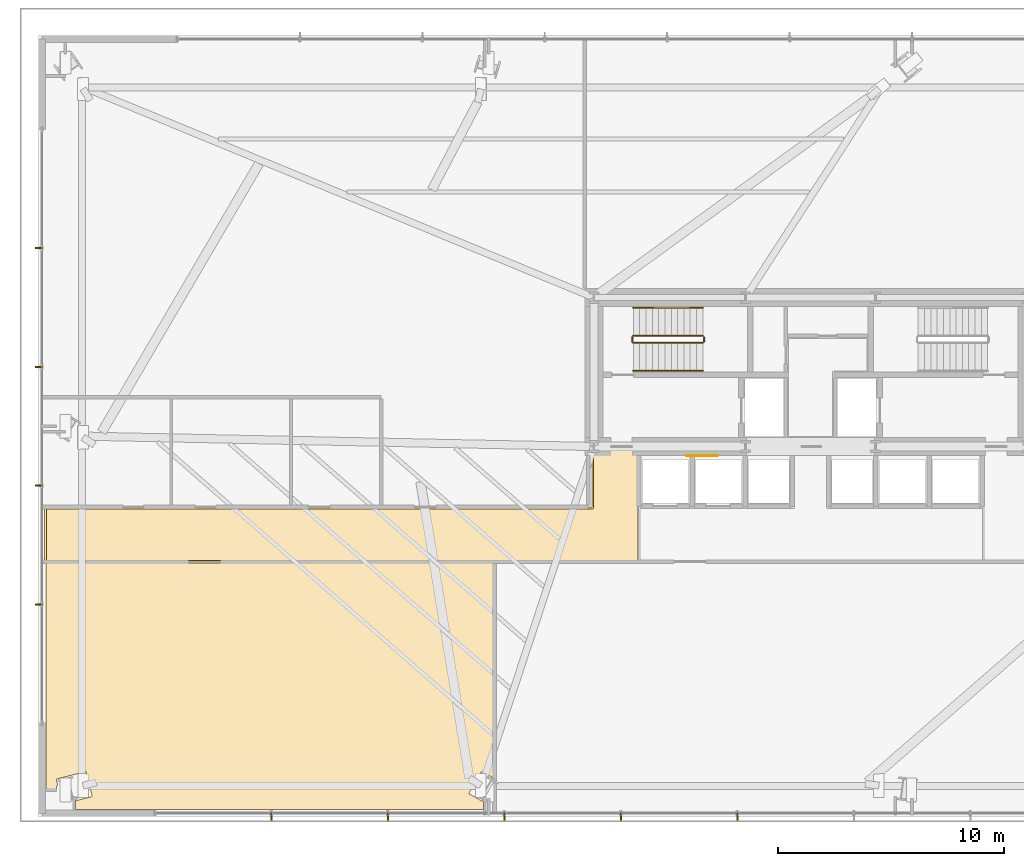
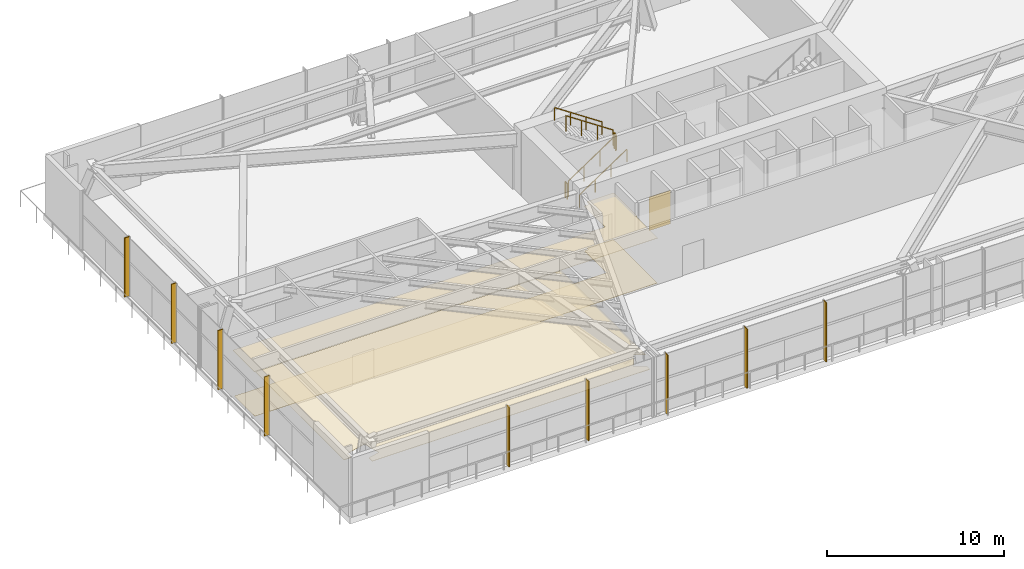
# One storey, part 29 of 36: 9 shading devices, 6 railings, 4 coverings.
"""IFC4 building model written with IfcOpenShell, lengths in metres."""

from ifc_helpers import new_model, si_unit, direction, frame, origin, origin_2d, place, context, subcontext, project, spatial, polyline, rectangle, outline, extrude, source, transform, mapped, material, layer, layer_set, type_object, type_shapes, element, save


model = new_model("IFC4")

# Units and contexts
model_context = context("Model", 3, precision=1e-05, world=origin(), true_north=direction((0.0, 1.0)))
body_context = subcontext(model_context, "Body", "Model", "MODEL_VIEW")
ifc_project = project(units=[si_unit("LENGTHUNIT", "METRE"), si_unit("AREAUNIT", "SQUARE_METRE"), si_unit("VOLUMEUNIT", "CUBIC_METRE"), si_unit("PLANEANGLEUNIT", "RADIAN"), si_unit("MASSUNIT", "GRAM", prefix="KILO")], contexts=[model_context])

# Site, building, storey
site_placement = place(None, origin())
site = spatial("IfcSite", under=ifc_project, at=site_placement, CompositionType="ELEMENT")
building_placement = place(site_placement, origin())
building = spatial("IfcBuilding", under=site, at=building_placement, Name="Astriad Promenade Condominiums", CompositionType="ELEMENT")
storey_placement = place(building_placement, frame((0.0, 0.0, 5.0)))
storey = spatial("IfcBuildingStorey", under=building, at=storey_placement, Name="L01", CompositionType="ELEMENT", Elevation=5.0)

# Coverings
ifc_material_1 = material(Name="Mineral-Fibre Acoustic Ceiling Tile")
ifc_layer_1 = layer(ifc_material_1, 0.02490234375)
ifc_layer_set_1 = layer_set([ifc_layer_1], Name="Mineral-Fibre Acoustic Ceiling Tile")
covering_type_1 = type_object("IfcCoveringType", Name="COV-CEIL-ACOUSTIC-25", PredefinedType="CEILING", material=ifc_layer_set_1)
covering_1_placement = place(storey_placement, frame((0.0, 0.0, 3.135009765625)))
element("IfcCovering", 1, at=covering_1_placement, inside=storey, type_object=covering_type_1, Name="CEIL-L01-COR-2", PredefinedType="CEILING", context=body_context, shape_type="SweptSolid", body=[
    extrude(outline(polyline([(2.093994140625, 12.2705078125), (2.09130859375, 12.271240234375), (2.08837890625, 12.272216796875), (2.0859375, 12.2734375), (2.083251953125, 12.275146484375), (2.0810546875, 12.27685546875), (2.078857421875, 12.27880859375), (2.076904296875, 12.281005859375), (2.0751953125, 12.283203125), (2.073486328125, 12.285888671875), (2.072265625, 12.28857421875), (2.0712890625, 12.291259765625), (2.070556640625, 12.294189453125), (2.070068359375, 12.297119140625), (2.070068359375, 12.300048828125), (2.070068359375, 14.679931640625), (2.070068359375, 14.682861328125), (2.070556640625, 14.685791015625), (2.0712890625, 14.688720703125), (2.072265625, 14.69140625), (2.073486328125, 14.694091796875), (2.0751953125, 14.69677734375), (2.076904296875, 14.698974609375), (2.078857421875, 14.701171875), (2.0810546875, 14.703125), (2.083251953125, 14.704833984375), (2.0859375, 14.70654296875), (2.08837890625, 14.707763671875), (2.09130859375, 14.708740234375), (2.093994140625, 14.70947265625), (2.09716796875, 14.7099609375), (2.10009765625, 14.7099609375), (26.320068359375, 14.7099609375), (26.320068359375, 17.077880859375), (26.683349609375, 17.077880859375), (26.683349609375, 17.3798828125), (28.39990234375, 17.3798828125), (28.40283203125, 17.3798828125), (28.406005859375, 17.37939453125), (28.40869140625, 17.378662109375), (28.41162109375, 17.377685546875), (28.4140625, 17.37646484375), (28.416748046875, 17.375), (28.4189453125, 17.373291015625), (28.421142578125, 17.37109375), (28.423095703125, 17.368896484375), (28.4248046875, 17.36669921875), (28.426513671875, 17.364013671875), (28.427734375, 17.361572265625), (28.4287109375, 17.358642578125), (28.429443359375, 17.35595703125), (28.429931640625, 17.352783203125), (28.429931640625, 17.35009765625), (28.429931640625, 14.75), (28.39990234375, 14.75), (28.39892578125, 14.75), (28.39599609375, 14.749755859375), (28.39404296875, 14.74951171875), (28.39111328125, 14.749267578125), (28.389404296875, 14.748779296875), (28.386474609375, 14.748046875), (28.384521484375, 14.74755859375), (28.3818359375, 14.74658203125), (28.3798828125, 14.745849609375), (28.377197265625, 14.744384765625), (28.37548828125, 14.74365234375), (28.373046875, 14.7421875), (28.371337890625, 14.740966796875), (28.369140625, 14.7392578125), (28.367431640625, 14.738037109375), (28.365478515625, 14.736083984375), (28.364013671875, 14.734619140625), (28.362060546875, 14.732421875), (28.360595703125, 14.73095703125), (28.35888671875, 14.728515625), (28.35791015625, 14.726806640625), (28.3564453125, 14.724365234375), (28.35546875, 14.72265625), (28.354248046875, 14.719970703125), (28.353515625, 14.71826171875), (28.3525390625, 14.71533203125), (28.351806640625, 14.713623046875), (28.351318359375, 14.710693359375), (28.350830078125, 14.708740234375), (28.350341796875, 14.705810546875), (28.35009765625, 14.703857421875), (28.35009765625, 14.700927734375), (28.35009765625, 14.699951171875), (28.35009765625, 12.300048828125), (28.35009765625, 12.299072265625), (28.35009765625, 12.296142578125), (28.350341796875, 12.294189453125), (28.350830078125, 12.291259765625), (28.351318359375, 12.289306640625), (28.351806640625, 12.286376953125), (28.3525390625, 12.28466796875), (28.353515625, 12.28173828125), (28.354248046875, 12.280029296875), (28.35546875, 12.27734375), (28.3564453125, 12.275634765625), (28.35791015625, 12.273193359375), (28.35888671875, 12.271484375), (28.360107421875, 12.27001953125), (2.10009765625, 12.27001953125), (2.09716796875, 12.27001953125), (2.093994140625, 12.2705078125)])), origin(), (0.0, 0.0, 1.0), 0.02490234375),
])
covering_2_placement = place(storey_placement, frame((0.0, 0.0, 3.135009765625)))
element("IfcCovering", 2, at=covering_2_placement, inside=storey, type_object=covering_type_1, Name="CEIL-L01-RM1", PredefinedType="CEILING", context=body_context, shape_type="SweptSolid", body=[
    extrude(outline(polyline([(2.12060546875, 12.205810546875), (2.121337890625, 12.208740234375), (2.122314453125, 12.21142578125), (2.12353515625, 12.214111328125), (2.125, 12.216796875), (2.126708984375, 12.218994140625), (2.12890625, 12.22119140625), (2.131103515625, 12.22314453125), (2.13330078125, 12.224853515625), (2.135986328125, 12.2265625), (2.138427734375, 12.227783203125), (2.141357421875, 12.228759765625), (2.14404296875, 12.2294921875), (2.147216796875, 12.22998046875), (2.14990234375, 12.22998046875), (22.0, 12.22998046875), (22.0029296875, 12.22998046875), (22.005859375, 12.2294921875), (22.0087890625, 12.228759765625), (22.011474609375, 12.227783203125), (22.01416015625, 12.2265625), (22.0166015625, 12.224853515625), (22.01904296875, 12.22314453125), (22.021240234375, 12.22119140625), (22.023193359375, 12.218994140625), (22.02490234375, 12.216796875), (22.026611328125, 12.214111328125), (22.027587890625, 12.21142578125), (22.02880859375, 12.208740234375), (22.029296875, 12.205810546875), (22.02978515625, 12.202880859375), (22.030029296875, 12.199951171875), (22.030029296875, 2.67138671875), (21.831298828125, 2.784912109375), (21.430908203125, 3.013916015625), (20.8642578125, 2.023193359375), (21.298583984375, 1.77490234375), (21.514892578125, 1.6513671875), (21.514892578125, 1.35009765625), (21.514892578125, 1.34716796875), (21.514404296875, 1.343994140625), (21.513671875, 1.34130859375), (21.5126953125, 1.33837890625), (21.511474609375, 1.3359375), (21.510009765625, 1.333251953125), (21.50830078125, 1.3310546875), (21.506103515625, 1.328857421875), (21.50390625, 1.326904296875), (21.501708984375, 1.3251953125), (21.4990234375, 1.323486328125), (21.49658203125, 1.322265625), (21.49365234375, 1.3212890625), (21.490966796875, 1.320556640625), (21.48779296875, 1.320068359375), (21.485107421875, 1.320068359375), (3.4599609375, 1.320068359375), (3.45703125, 1.320068359375), (3.4541015625, 1.320556640625), (3.451416015625, 1.3212890625), (3.448486328125, 1.322265625), (3.44580078125, 1.323486328125), (3.443359375, 1.3251953125), (3.44091796875, 1.326904296875), (3.438720703125, 1.328857421875), (3.436767578125, 1.3310546875), (3.43505859375, 1.333251953125), (3.43359375, 1.3359375), (3.432373046875, 1.33837890625), (3.431396484375, 1.34130859375), (3.4306640625, 1.343994140625), (3.43017578125, 1.34716796875), (3.429931640625, 1.35009765625), (3.429931640625, 1.704345703125), (4.1787109375, 1.8916015625), (3.90185546875, 2.99853515625), (3.060302734375, 2.788330078125), (2.581298828125, 2.66845703125), (2.647216796875, 2.40478515625), (2.601806640625, 2.336669921875), (2.585205078125, 2.254150390625), (2.584716796875, 2.251220703125), (2.58349609375, 2.24853515625), (2.58251953125, 2.245849609375), (2.580810546875, 2.243408203125), (2.5791015625, 2.240966796875), (2.5771484375, 2.23876953125), (2.574951171875, 2.23681640625), (2.572509765625, 2.235107421875), (2.570068359375, 2.2333984375), (2.5673828125, 2.232421875), (2.564697265625, 2.231201171875), (2.561767578125, 2.230712890625), (2.558837890625, 2.22998046875), (2.555908203125, 2.22998046875), (2.14990234375, 2.22998046875), (2.147216796875, 2.22998046875), (2.14404296875, 2.230712890625), (2.141357421875, 2.231201171875), (2.138427734375, 2.232421875), (2.135986328125, 2.2333984375), (2.13330078125, 2.235107421875), (2.131103515625, 2.23681640625), (2.12890625, 2.23876953125), (2.126708984375, 2.240966796875), (2.125, 2.243408203125), (2.12353515625, 2.245849609375), (2.122314453125, 2.24853515625), (2.121337890625, 2.251220703125), (2.12060546875, 2.254150390625), (2.1201171875, 2.257080078125), (2.1201171875, 2.260009765625), (2.1201171875, 12.199951171875), (2.1201171875, 12.202880859375), (2.12060546875, 12.205810546875)])), origin(), (0.0, 0.0, 1.0), 0.02490234375),
])
ifc_material_2 = material(Name="Polished Lakefront Terrazzo Flooring")
ifc_layer_2 = layer(ifc_material_2, 0.02001953125)
ifc_layer_set_2 = layer_set([ifc_layer_2], Name="Polished Lakefront Terrazzo Flooring")
covering_type_2 = type_object("IfcCoveringType", Name="COV-FLOR-TERRAZZO-20", PredefinedType="FLOORING", material=ifc_layer_set_2)
covering_3_placement = place(storey_placement, origin())
element("IfcCovering", 3, at=covering_3_placement, inside=storey, type_object=covering_type_2, Name="FLR-L01-COR-2", PredefinedType="FLOORING", context=body_context, shape_type="SweptSolid", body=[
    extrude(outline(polyline([(2.139892578125, 12.340087890625), (2.139892578125, 14.639892578125), (26.35009765625, 14.639892578125), (26.35400390625, 14.64013671875), (26.35791015625, 14.640869140625), (26.361572265625, 14.6416015625), (26.365234375, 14.64306640625), (26.368896484375, 14.644775390625), (26.372314453125, 14.646728515625), (26.37548828125, 14.649169921875), (26.37841796875, 14.651611328125), (26.380859375, 14.654541015625), (26.38330078125, 14.65771484375), (26.38525390625, 14.6611328125), (26.386962890625, 14.664794921875), (26.38818359375, 14.66845703125), (26.38916015625, 14.672119140625), (26.389892578125, 14.676025390625), (26.389892578125, 14.679931640625), (26.389892578125, 17.117919921875), (26.643310546875, 17.117919921875), (26.643310546875, 17.31005859375), (28.360107421875, 17.31005859375), (28.360107421875, 12.340087890625), (2.139892578125, 12.340087890625)])), origin(), (0.0, 0.0, 1.0), 0.02001953125),
])

# Shading devices
ifc_material_3 = material(Name="Anodised aluminium 6063-T6 Black Fin", Category="aluminium")
shading_device_type = type_object("IfcShadingDeviceType", Name="FIN-BLACK-320", PredefinedType="USERDEFINED", material=ifc_material_3)
shared_shape_1 = source(origin(), body_context, "Body", "SweptSolid", [
    extrude(rectangle(XDim=0.06494140625, YDim=0.320068359375, at=origin_2d()), origin(), (0.0, 0.0, 1.0), 4.080078125),
])
type_shapes(shading_device_type, [shared_shape_1])
for number, where, z_axis, x_axis, name in (
    (4, (1.81005859375, 10.409912109375, 0.0), (0.0, 0.0, 1.0), (0.0, 1.0, 0.0), "CW-L01-W-FIN-01"),
    (5, (1.81005859375, 15.669921875, 0.0), (0.0, 0.0, 1.0), (0.0, 1.0, 0.0), "CW-L01-W-FIN-02"),
    (6, (1.81005859375, 20.929931640625, 0.0), (0.0, 0.0, 1.0), (0.0, 1.0, 0.0), "CW-L01-W-FIN-03"),
    (7, (1.81005859375, 26.18994140625, 0.0), (0.0, 0.0, 1.0), (0.0, 1.0, 0.0), "CW-L01-W-FIN-04"),
    (8, (32.7578125, 1.010009765625, 0.0), (0.0, 0.0, 1.0), (-1.0, 0.0, 0.0), "CW-L01-S-FIN-08"),
    (9, (27.59619140625, 1.010009765625, 0.0), (0.0, 0.0, 1.0), (-1.0, 0.0, 0.0), "CW-L01-S-FIN-09"),
    (10, (22.4345703125, 1.010009765625, 0.0), (0.0, 0.0, 1.0), (-1.0, 0.0, 0.0), "CW-L01-S-FIN-10"),
    (11, (17.273193359375, 1.010009765625, 0.0), (0.0, 0.0, 1.0), (-1.0, 0.0, 0.0), "CW-L01-S-FIN-11"),
    (12, (12.111572265625, 1.010009765625, 0.0), (0.0, 0.0, 1.0), (-1.0, 0.0, 0.0), "CW-L01-S-FIN-12"),
):
    element("IfcShadingDevice", number, at=place(storey_placement, frame(where, z_axis=z_axis, x_axis=x_axis)), inside=storey, type_object=shading_device_type, Name=name, ObjectType="FIN", PredefinedType="USERDEFINED", context=body_context, shape_type="MappedRepresentation", body=[
        mapped(shared_shape_1, transform((0.0, 0.0, 0.0), scale=1.0)),
    ])

# Railings
ifc_material_4 = material(Name="Painted Galvanised Steel Guardrail", Category="steel")
railing_type_1 = type_object("IfcRailingType", Name="GRD-STAIR-1100", PredefinedType="GUARDRAIL", material=ifc_material_4)
shared_shape_2 = source(origin(), body_context, "Body", "SweptSolid", [
    extrude(rectangle(XDim=0.048095703125, YDim=0.048095703125, at=origin_2d()), frame((0.0, 0.0, 1.076171875), z_axis=(0.0, 1.0, 0.0), x_axis=(-1.0, 0.0, 0.0)), (0.0, 0.0, 1.0), 0.199951171875),
    extrude(rectangle(XDim=0.0419921875, YDim=0.0419921875, at=origin_2d()), origin(), (0.0, 0.0, 1.0), 1.052001953125),
    extrude(rectangle(XDim=0.0419921875, YDim=0.0419921875, at=origin_2d()), frame((0.0, 0.199951171875, 0.0)), (0.0, 0.0, 1.0), 1.052001953125),
])
for number, where, name in (
    (13, (31.280029296875, 22.050048828125, 2.25), "L01 ST-1 stair guard 2"),
    (14, (28.10009765625, 22.050048828125, 0.0), "L01 ST-1 stair guard 4"),
):
    element("IfcRailing", number, at=place(storey_placement, frame(where)), inside=storey, type_object=railing_type_1, Name=name, PredefinedType="GUARDRAIL", context=body_context, shape_type="MappedRepresentation", body=[
        mapped(shared_shape_2, transform((0.0, 0.0, 0.0), scale=1.0)),
    ])
shared_shape_3 = source(origin(), body_context, "Body", "SweptSolid", [
    extrude(rectangle(XDim=0.048095703125, YDim=0.048095703125, at=origin_2d()), frame((0.0, 0.0, 1.076171875), z_axis=(0.830913701846, 0.0, 0.55640131208), x_axis=(0.0, 1.0, 0.0)), (0.0, 0.0, 1.0), 3.706787109375),
    extrude(rectangle(XDim=0.0419921875, YDim=0.0419921875, at=origin_2d()), origin(), (0.0, 0.0, 1.0), 1.052001953125),
    extrude(rectangle(XDim=0.0419921875, YDim=0.0419921875, at=origin_2d()), frame((1.026611328125, 0.0, 0.6875)), (0.0, 0.0, 1.0), 1.052001953125),
    extrude(rectangle(XDim=0.0419921875, YDim=0.0419921875, at=origin_2d()), frame((2.053466796875, 0.0, 1.375)), (0.0, 0.0, 1.0), 1.052001953125),
    extrude(rectangle(XDim=0.0419921875, YDim=0.0419921875, at=origin_2d()), frame((3.080078125, 0.0, 2.0625)), (0.0, 0.0, 1.0), 1.052001953125),
])
railing_1_placement = place(storey_placement, frame((28.14990234375, 22.0, 0.1875)))
element("IfcRailing", 15, at=railing_1_placement, inside=storey, type_object=railing_type_1, Name="L01 ST-1 stair guard 1", PredefinedType="GUARDRAIL", context=body_context, shape_type="MappedRepresentation", body=[
    mapped(shared_shape_3, transform((0.0, 0.0, 0.0), scale=1.0)),
])
shared_shape_4 = source(origin(), body_context, "Body", "SweptSolid", [
    extrude(rectangle(XDim=0.048095703125, YDim=0.048095703125, at=origin_2d()), frame((0.0, 0.0, 1.076171875), z_axis=(-0.830913701846, 0.0, 0.55640131208), x_axis=(0.0, -1.0, 0.0)), (0.0, 0.0, 1.0), 3.706787109375),
    extrude(rectangle(XDim=0.0419921875, YDim=0.0419921875, at=origin_2d()), origin(), (0.0, 0.0, 1.0), 1.052001953125),
    extrude(rectangle(XDim=0.0419921875, YDim=0.0419921875, at=origin_2d()), frame((-1.026611328125, 0.0, 0.6875)), (0.0, 0.0, 1.0), 1.052001953125),
    extrude(rectangle(XDim=0.0419921875, YDim=0.0419921875, at=origin_2d()), frame((-2.053466796875, 0.0, 1.375)), (0.0, 0.0, 1.0), 1.052001953125),
    extrude(rectangle(XDim=0.0419921875, YDim=0.0419921875, at=origin_2d()), frame((-3.080078125, 0.0, 2.0625)), (0.0, 0.0, 1.0), 1.052001953125),
])
type_shapes(railing_type_1, [shared_shape_2, shared_shape_3, shared_shape_4])
railing_2_placement = place(storey_placement, frame((31.22998046875, 22.300048828125, 2.4375)))
element("IfcRailing", 16, at=railing_2_placement, inside=storey, type_object=railing_type_1, Name="L01 ST-1 stair guard 3", PredefinedType="GUARDRAIL", context=body_context, shape_type="MappedRepresentation", body=[
    mapped(shared_shape_4, transform((0.0, 0.0, 0.0), scale=1.0)),
])
ifc_material_5 = material(Name="Brushed Stainless Steel Handrail", Category="steel")
railing_type_2 = type_object("IfcRailingType", Name="HRL-STAIR-920", PredefinedType="HANDRAIL", material=ifc_material_5)
shared_shape_5 = source(origin(), body_context, "Body", "SweptSolid", [
    extrude(rectangle(XDim=0.048095703125, YDim=0.048095703125, at=origin_2d()), frame((0.0, 0.0, 0.8759765625), z_axis=(0.830913701846, 0.0, 0.55640131208), x_axis=(0.0, 1.0, 0.0)), (0.0, 0.0, 1.0), 3.706787109375),
    extrude(rectangle(XDim=0.0419921875, YDim=0.0419921875, at=origin_2d()), origin(), (0.0, 0.0, 1.0), 0.851806640625),
    extrude(rectangle(XDim=0.0419921875, YDim=0.0419921875, at=origin_2d()), frame((1.026611328125, 0.0, 0.6875)), (0.0, 0.0, 1.0), 0.851806640625),
    extrude(rectangle(XDim=0.0419921875, YDim=0.0419921875, at=origin_2d()), frame((2.053466796875, 0.0, 1.375)), (0.0, 0.0, 1.0), 0.851806640625),
    extrude(rectangle(XDim=0.0419921875, YDim=0.0419921875, at=origin_2d()), frame((3.080078125, 0.0, 2.0625)), (0.0, 0.0, 1.0), 0.851806640625),
])
railing_3_placement = place(storey_placement, frame((28.14990234375, 20.75, 0.1875)))
element("IfcRailing", 17, at=railing_3_placement, inside=storey, type_object=railing_type_2, Name="L01 ST-1 stair handrail 1", PredefinedType="HANDRAIL", context=body_context, shape_type="MappedRepresentation", body=[
    mapped(shared_shape_5, transform((0.0, 0.0, 0.0), scale=1.0)),
])
shared_shape_6 = source(origin(), body_context, "Body", "SweptSolid", [
    extrude(rectangle(XDim=0.048095703125, YDim=0.048095703125, at=origin_2d()), frame((0.0, 0.0, 0.8759765625), z_axis=(-0.830913701846, 0.0, 0.55640131208), x_axis=(0.0, -1.0, 0.0)), (0.0, 0.0, 1.0), 3.706787109375),
    extrude(rectangle(XDim=0.0419921875, YDim=0.0419921875, at=origin_2d()), origin(), (0.0, 0.0, 1.0), 0.851806640625),
    extrude(rectangle(XDim=0.0419921875, YDim=0.0419921875, at=origin_2d()), frame((-1.026611328125, 0.0, 0.6875)), (0.0, 0.0, 1.0), 0.851806640625),
    extrude(rectangle(XDim=0.0419921875, YDim=0.0419921875, at=origin_2d()), frame((-2.053466796875, 0.0, 1.375)), (0.0, 0.0, 1.0), 0.851806640625),
    extrude(rectangle(XDim=0.0419921875, YDim=0.0419921875, at=origin_2d()), frame((-3.080078125, 0.0, 2.0625)), (0.0, 0.0, 1.0), 0.851806640625),
])
type_shapes(railing_type_2, [shared_shape_5, shared_shape_6])
railing_4_placement = place(storey_placement, frame((31.22998046875, 23.550048828125, 2.4375)))
element("IfcRailing", 18, at=railing_4_placement, inside=storey, type_object=railing_type_2, Name="L01 ST-1 stair handrail 2", PredefinedType="HANDRAIL", context=body_context, shape_type="MappedRepresentation", body=[
    mapped(shared_shape_6, transform((0.0, 0.0, 0.0), scale=1.0)),
])

# Covering
ifc_material_6 = material(Name="Fire-Retardant Acoustic Oak Wall Cladding")
ifc_layer_3 = layer(ifc_material_6, 0.02490234375)
ifc_layer_set_3 = layer_set([ifc_layer_3], Name="Fire-Retardant Acoustic Oak Wall Cladding")
covering_type_3 = type_object("IfcCoveringType", Name="COV-CLAD-TIMBER-25", PredefinedType="CLADDING", material=ifc_layer_set_3)
shared_shape_7 = source(origin(), body_context, "Body", "SweptSolid", [
    extrude(rectangle(XDim=1.39990234375, YDim=0.02490234375, at=origin_2d()), origin(), (0.0, 0.0, 1.0), 2.300048828125),
])
type_shapes(covering_type_3, [shared_shape_7])
covering_4_placement = place(storey_placement, frame((31.199951171875, 16.991455078125, 0.0498046875), z_axis=(0.0, 0.0, 1.0), x_axis=(1.0, 0.0, 0.0)))
element("IfcCovering", 19, at=covering_4_placement, inside=storey, type_object=covering_type_3, Name="CLAD-LOB-L01", PredefinedType="CLADDING", context=body_context, shape_type="MappedRepresentation", body=[
    mapped(shared_shape_7, transform((0.0, 0.0, 0.0), scale=1.0)),
])

save(model, "model.ifc")
